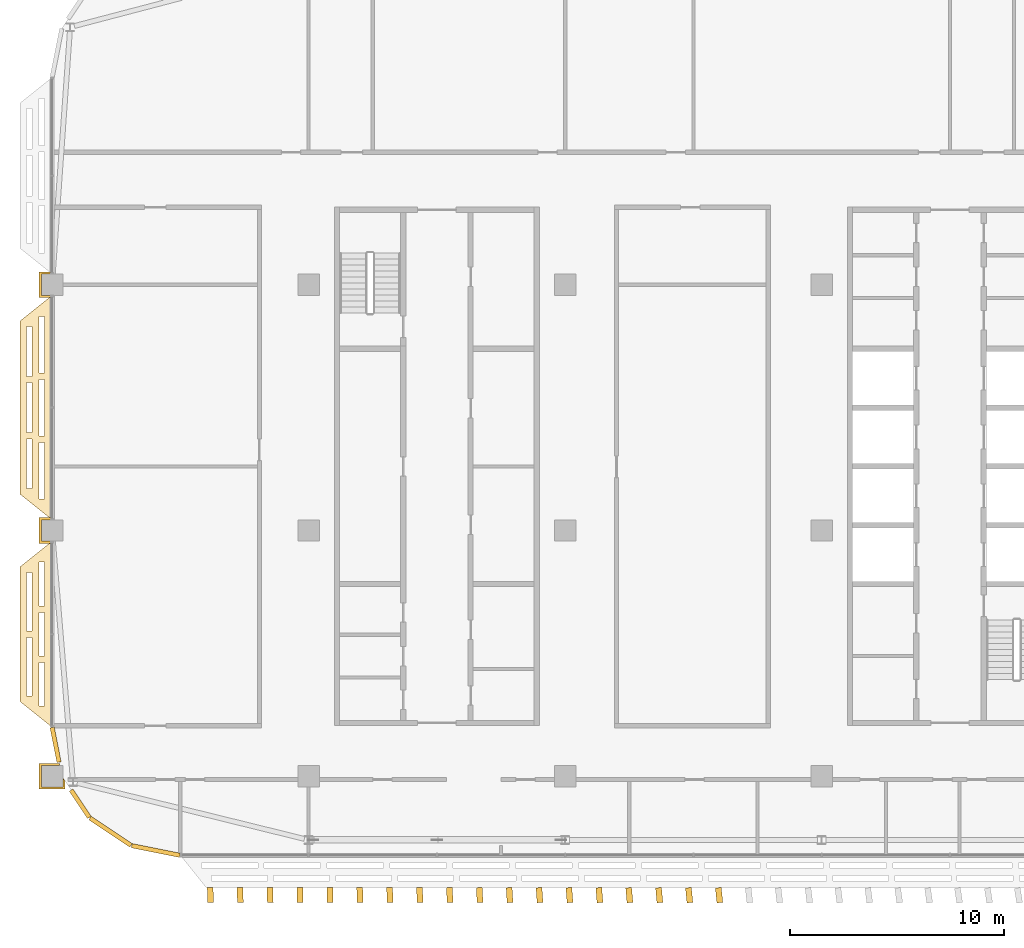
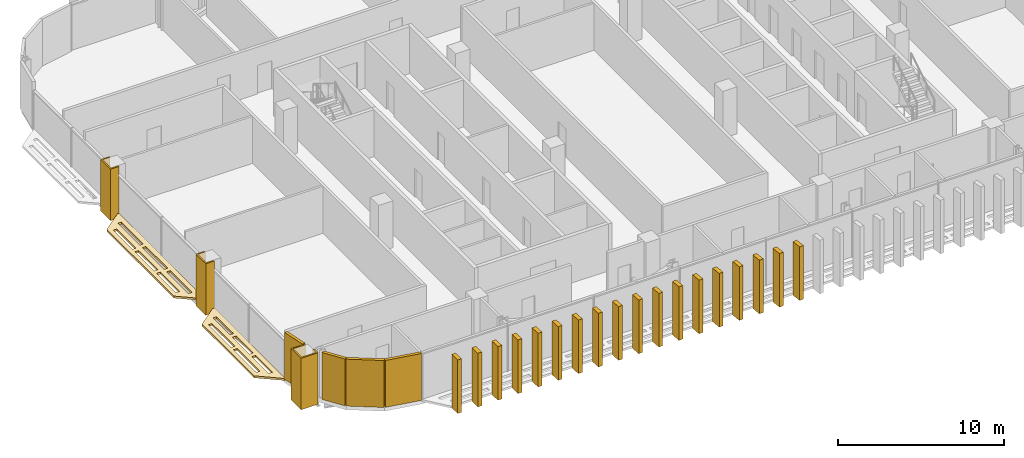
# One storey, part 27 of 34: 27 coverings.
"""IFC4 building model written with IfcOpenShell, lengths in metres."""

from ifc_helpers import new_model, si_unit, direction, frame, origin, origin_2d, place, context, subcontext, project, spatial, polyline, rectangle, outline, extrude, material, layer, layer_set, type_object, element, save


model = new_model("IFC4")

# Units and contexts
model_context = context("Model", 3, precision=1e-05, world=origin(), true_north=direction((0.0, 1.0)))
body_context = subcontext(model_context, "Body", "Model", "MODEL_VIEW")
ifc_project = project(units=[si_unit("LENGTHUNIT", "METRE"), si_unit("AREAUNIT", "SQUARE_METRE"), si_unit("VOLUMEUNIT", "CUBIC_METRE"), si_unit("PLANEANGLEUNIT", "RADIAN"), si_unit("MASSUNIT", "GRAM", prefix="KILO")], contexts=[model_context])

# Site, building, storey
site_placement = place(None, origin())
site = spatial("IfcSite", under=ifc_project, at=site_placement, CompositionType="ELEMENT")
building_placement = place(site_placement, origin())
building = spatial("IfcBuilding", under=site, at=building_placement, Name="Mahtab Terrace Research Tower", CompositionType="ELEMENT")
storey_placement = place(building_placement, frame((0.0, 0.0, 247.60009765625)))
storey = spatial("IfcBuildingStorey", under=building, at=storey_placement, Name="L60", CompositionType="ELEMENT", Elevation=247.60009765625)

# Coverings
ifc_material_1 = material(Name="Black aluminium cladding panel", Category="aluminium")
ifc_layer_1 = layer(ifc_material_1, 0.199951171875)
ifc_layer_set_1 = layer_set([ifc_layer_1], Name="Black metal corner cladding 200")
covering_type_1 = type_object("IfcCoveringType", Name="Black metal corner cladding 200", PredefinedType="CLADDING", material=ifc_layer_set_1)
covering_1_placement = place(storey_placement, frame((-41.834716796875, -10.02490234375, 0.0), z_axis=(0.0, 0.0, 1.0), x_axis=(0.195212442692, -0.980760981187, 0.0)))
element("IfcCovering", 1, at=covering_1_placement, inside=storey, type_object=covering_type_1, Name="Corner cladding L60 11", PredefinedType="CLADDING", context=body_context, shape_type="SweptSolid", body=[
    extrude(rectangle(XDim=1.65283203125, YDim=0.199951171875, at=origin_2d()), origin(), (0.0, 0.0, 1.0), 3.4599609375),
])
covering_2_placement = place(storey_placement, frame((-40.68212890625, -12.780517578125, 0.0), z_axis=(0.0, 0.0, 1.0), x_axis=(0.555291490808, -0.831655794326, 0.0)))
element("IfcCovering", 2, at=covering_2_placement, inside=storey, type_object=covering_type_1, Name="Corner cladding L60 12", PredefinedType="CLADDING", context=body_context, shape_type="SweptSolid", body=[
    extrude(rectangle(XDim=1.541748046875, YDim=0.199951171875, at=origin_2d()), origin(), (0.0, 0.0, 1.0), 3.4599609375),
])
for number, where, z_axis, x_axis, name in (
    (3, (-39.26953125, -14.087890625, 0.0), (0.0, 0.0, 1.0), (0.831655794326, -0.555291490808, 0.0), "Corner cladding L60 13"),
    (4, (-37.14794921875, -14.966552734375, 0.0), (0.0, 0.0, 1.0), (0.980760981187, -0.195212442692, 0.0), "Corner cladding L60 14"),
):
    element("IfcCovering", number, at=place(storey_placement, frame(where, z_axis=z_axis, x_axis=x_axis)), inside=storey, type_object=covering_type_1, Name=name, PredefinedType="CLADDING", context=body_context, shape_type="SweptSolid", body=[
        extrude(rectangle(XDim=2.30126953125, YDim=0.199951171875, at=origin_2d()), origin(), (0.0, 0.0, 1.0), 3.4599609375),
    ])
ifc_material_2 = material(Name="Dark anodised aluminium cladding", Category="aluminium")
ifc_layer_2 = layer(ifc_material_2, 0.10009765625)
ifc_layer_set_2 = layer_set([ifc_layer_2], Name="Column casing 100")
covering_type_2 = type_object("IfcCoveringType", Name="Column casing 100", PredefinedType="CLADDING", material=ifc_layer_set_2)
covering_3_placement = place(storey_placement, frame((0.0, 0.0, -0.340087890625)))
element("IfcCovering", 5, at=covering_3_placement, inside=storey, type_object=covering_type_2, Name="Column casing RC-1B L60", PredefinedType="CLADDING", context=body_context, shape_type="SweptSolid", body=[
    extrude(outline(polyline([(-42.60009765625, 0.60009765625), (-42.0, 0.60009765625), (-42.0, 0.5), (-42.5, 0.5), (-42.5, -0.5), (-42.0, -0.5), (-42.0, -0.60009765625), (-42.60009765625, -0.60009765625), (-42.60009765625, 0.60009765625)])), origin(), (0.0, 0.0, 1.0), 3.800048828125),
])
covering_4_placement = place(storey_placement, frame((0.0, 0.0, -0.340087890625)))
element("IfcCovering", 6, at=covering_4_placement, inside=storey, type_object=covering_type_2, Name="Column casing RC-1C L60", PredefinedType="CLADDING", context=body_context, shape_type="SweptSolid", body=[
    extrude(outline(polyline([(-42.60009765625, 12.10009765625), (-42.0, 12.10009765625), (-42.0, 12.0), (-42.5, 12.0), (-42.5, 11.0), (-42.0, 11.0), (-42.0, 10.89990234375), (-42.60009765625, 10.89990234375), (-42.60009765625, 12.10009765625)])), origin(), (0.0, 0.0, 1.0), 3.800048828125),
])
covering_5_placement = place(storey_placement, frame((0.0, 0.0, -0.340087890625)))
element("IfcCovering", 7, at=covering_5_placement, inside=storey, type_object=covering_type_2, Name="Column casing RC-1A L60", PredefinedType="CLADDING", context=body_context, shape_type="SweptSolid", body=[
    extrude(outline(polyline([(-42.60009765625, -10.89990234375), (-41.660888671875, -10.89990234375), (-41.64111328125, -11.0), (-42.5, -11.0), (-42.5, -12.0), (-41.5, -12.0), (-41.5, -11.554931640625), (-41.39990234375, -11.705078125), (-41.39990234375, -12.10009765625), (-42.60009765625, -12.10009765625), (-42.60009765625, -10.89990234375)])), origin(), (0.0, 0.0, 1.0), 3.800048828125),
])
ifc_material_3 = material(Name="Black anodised aluminium", Category="aluminium")
ifc_layer_3 = layer(ifc_material_3, 0.14990234375)
ifc_layer_set_3 = layer_set([ifc_layer_3], Name="Horizontal sunshade band")
covering_type_3 = type_object("IfcCoveringType", Name="Horizontal sunshade band", PredefinedType="CLADDING", material=ifc_layer_set_3)
covering_6_placement = place(storey_placement, frame((0.0, 0.0, -0.150146484375)))
element("IfcCovering", 8, at=covering_6_placement, inside=storey, type_object=covering_type_3, Name="Sunshade band L60 9", PredefinedType="CLADDING", context=body_context, shape_type="SweptSolid", body=[
    extrude(outline(polyline([(-42.0, 11.0), (-42.0, 0.5), (-43.5, 1.699951171875), (-43.5, 9.800048828125), (-42.0, 11.0)]), holes=[polyline([(-42.35009765625, 10.02001953125), (-42.35009765625, 7.373046875), (-42.60009765625, 7.373046875), (-42.60009765625, 10.02001953125), (-42.35009765625, 10.02001953125)]), polyline([(-42.35009765625, 7.072998046875), (-42.35009765625, 4.427001953125), (-42.60009765625, 4.427001953125), (-42.60009765625, 7.072998046875), (-42.35009765625, 7.072998046875)]), polyline([(-42.35009765625, 4.126953125), (-42.35009765625, 1.47998046875), (-42.60009765625, 1.47998046875), (-42.60009765625, 4.126953125), (-42.35009765625, 4.126953125)]), polyline([(-42.949951171875, 9.5400390625), (-42.949951171875, 7.212890625), (-43.199951171875, 7.212890625), (-43.199951171875, 9.5400390625), (-42.949951171875, 9.5400390625)]), polyline([(-42.949951171875, 6.9130859375), (-42.949951171875, 4.5869140625), (-43.199951171875, 4.5869140625), (-43.199951171875, 6.9130859375), (-42.949951171875, 6.9130859375)]), polyline([(-42.949951171875, 4.287109375), (-42.949951171875, 1.9599609375), (-43.199951171875, 1.9599609375), (-43.199951171875, 4.287109375), (-42.949951171875, 4.287109375)])]), origin(), (0.0, 0.0, 1.0), 0.150146484375),
])
covering_7_placement = place(storey_placement, frame((0.0, 0.0, -0.150146484375)))
element("IfcCovering", 9, at=covering_7_placement, inside=storey, type_object=covering_type_3, Name="Sunshade band L60 10", PredefinedType="CLADDING", context=body_context, shape_type="SweptSolid", body=[
    extrude(outline(polyline([(-42.0, -0.5), (-42.0, -9.195068359375), (-43.5, -7.9951171875), (-43.5, -1.699951171875), (-42.0, -0.5)]), holes=[polyline([(-42.35009765625, -1.47998046875), (-42.35009765625, -3.52490234375), (-42.60009765625, -3.52490234375), (-42.60009765625, -1.47998046875), (-42.35009765625, -1.47998046875)]), polyline([(-42.35009765625, -3.824951171875), (-42.35009765625, -5.8701171875), (-42.60009765625, -5.8701171875), (-42.60009765625, -3.824951171875), (-42.35009765625, -3.824951171875)]), polyline([(-42.35009765625, -6.169921875), (-42.35009765625, -8.215087890625), (-42.60009765625, -8.215087890625), (-42.60009765625, -6.169921875), (-42.35009765625, -6.169921875)]), polyline([(-42.949951171875, -1.9599609375), (-42.949951171875, -4.697998046875), (-43.199951171875, -4.697998046875), (-43.199951171875, -1.9599609375), (-42.949951171875, -1.9599609375)]), polyline([(-42.949951171875, -4.9970703125), (-42.949951171875, -7.735107421875), (-43.199951171875, -7.735107421875), (-43.199951171875, -4.9970703125), (-42.949951171875, -4.9970703125)])]), origin(), (0.0, 0.0, 1.0), 0.150146484375),
])
ifc_material_4 = material(Name="Bronze anodised aluminium", Category="aluminium")
ifc_layer_4 = layer(ifc_material_4, 0.1201171875)
ifc_layer_set_4 = layer_set([ifc_layer_4], Name="Vertical fin 700")
covering_type_4 = type_object("IfcCoveringType", Name="Vertical fin 700", PredefinedType="CLADDING", material=ifc_layer_set_4)
for number, where, z_axis, x_axis, name in (
    (10, (-34.60009765625, -17.0458984375, -0.14990234375), (0.0, 0.0, 1.0), (0.999983076858, 0.005817731349, 0.0), "Fin L60 S1"),
    (11, (-33.199951171875, -17.046630859375, -0.14990234375), (0.0, 0.0, 1.0), (0.999932308004, 0.011635265807, 0.0), "Fin L60 S2"),
    (12, (-31.800048828125, -17.04736328125, -0.14990234375), (0.0, 0.0, 1.0), (0.999847695156, 0.017452406437, 0.0), "Fin L60 S3"),
    (13, (-30.39990234375, -17.048095703125, -0.14990234375), (0.0, 0.0, 1.0), (0.99972924118, 0.023268956368, 0.0), "Fin L60 S4"),
    (14, (-29.0, -17.048828125, -0.14990234375), (0.0, 0.0, 1.0), (0.999576950082, 0.029084718749, 0.0), "Fin L60 S5"),
    (15, (-27.60009765625, -17.049560546875, -0.14990234375), (0.0, 0.0, 1.0), (0.999390827019, 0.034899496703, 0.0), "Fin L60 S6"),
    (16, (-26.199951171875, -17.05029296875, -0.14990234375), (0.0, 0.0, 1.0), (0.99917087829, 0.040713093438, 0.0), "Fin L60 S7"),
    (17, (-24.800048828125, -17.051025390625, -0.14990234375), (0.0, 0.0, 1.0), (0.998917111338, 0.046525312204, 0.0), "Fin L60 S8"),
    (18, (-23.39990234375, -17.0517578125, -0.14990234375), (0.0, 0.0, 1.0), (0.998629534755, 0.052335956243, 0.0), "Fin L60 S9"),
    (19, (-22.0, -17.052490234375, -0.14990234375), (0.0, 0.0, 1.0), (0.998308158272, 0.058144828905, 0.0), "Fin L60 S10"),
    (20, (-20.60009765625, -17.05322265625, -0.14990234375), (0.0, 0.0, 1.0), (0.997952992766, 0.063951733597, 0.0), "Fin L60 S11"),
    (21, (-19.199951171875, -17.053955078125, -0.14990234375), (0.0, 0.0, 1.0), (0.99756405026, 0.069756473744, 0.0), "Fin L60 S12"),
    (22, (-17.800048828125, -17.0546875, -0.14990234375), (0.0, 0.0, 1.0), (0.997141343917, 0.075558852893, 0.0), "Fin L60 S13"),
    (23, (-16.39990234375, -17.05517578125, -0.14990234375), (0.0, 0.0, 1.0), (0.996684888044, 0.081358674674, 0.0), "Fin L60 S14"),
    (24, (-15.0, -17.055908203125, -0.14990234375), (0.0, 0.0, 1.0), (0.996194698092, 0.087155742748, 0.0), "Fin L60 S15"),
    (25, (-13.60009765625, -17.056396484375, -0.14990234375), (0.0, 0.0, 1.0), (0.99567079065, 0.092949860924, 0.0), "Fin L60 S16"),
    (26, (-12.199951171875, -17.05712890625, -0.14990234375), (0.0, 0.0, 1.0), (0.99511318345, 0.098740833109, 0.0), "Fin L60 S17"),
    (27, (-10.800048828125, -17.0576171875, -0.14990234375), (0.0, 0.0, 1.0), (0.994521895368, 0.104528463268, 0.0), "Fin L60 S18"),
):
    element("IfcCovering", number, at=place(storey_placement, frame(where, z_axis=z_axis, x_axis=x_axis)), inside=storey, type_object=covering_type_4, Name=name, PredefinedType="CLADDING", context=body_context, shape_type="SweptSolid", body=[
        extrude(rectangle(XDim=0.280029296875, YDim=0.699951171875, at=origin_2d()), origin(), (0.0, 0.0, 1.0), 3.949951171875),
    ])

save(model, "model.ifc")
